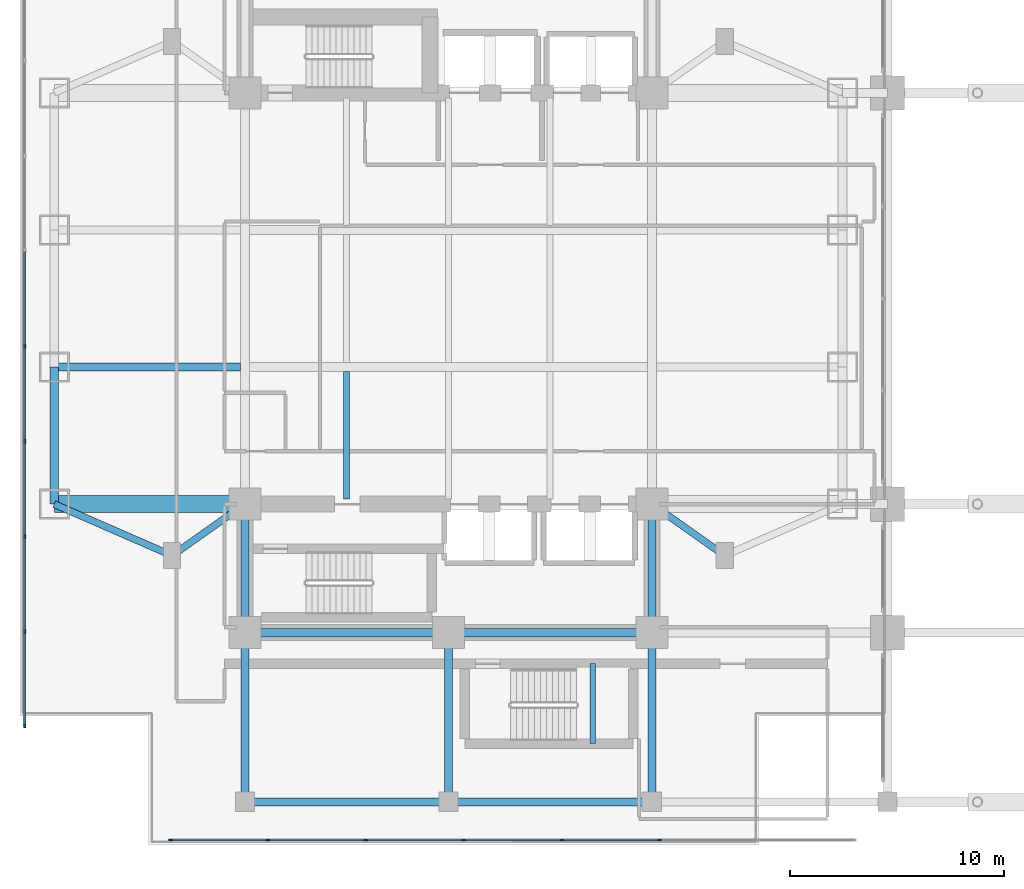
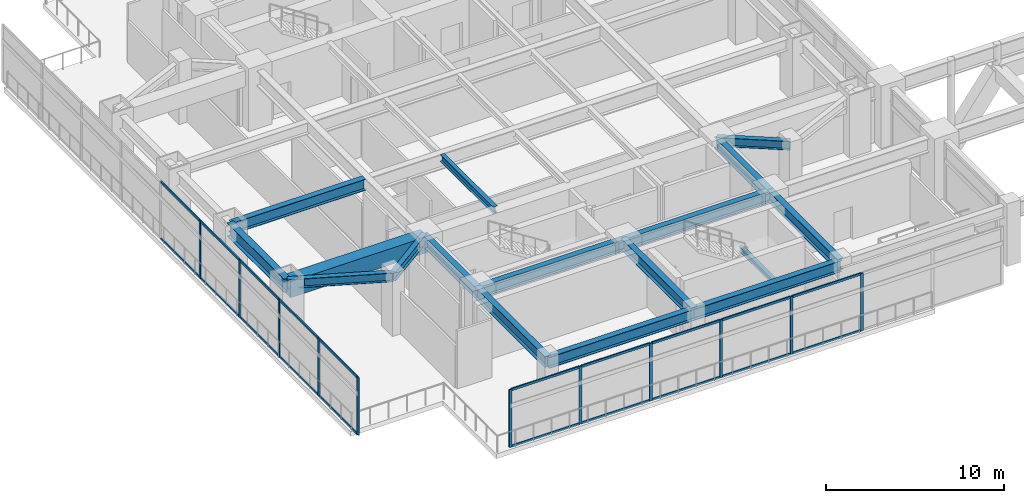
# One storey, part 2 of 30: 31 members, 17 beams, 2 elements without a shape of their own.
"""IFC4 building model written with IfcOpenShell, lengths in metres."""

from ifc_helpers import new_model, si_unit, direction, frame, origin, origin_2d, place, context, subcontext, project, spatial, rectangle, i_section, extrude, material, material_profile, profile_set, type_object, element, aggregate, save


model = new_model("IFC4")

# Units and contexts
model_context = context("Model", 3, precision=1e-05, world=origin(), true_north=direction((0.0, 1.0)))
body_context = subcontext(model_context, "Body", "Model", "MODEL_VIEW")
ifc_project = project(units=[si_unit("LENGTHUNIT", "METRE"), si_unit("AREAUNIT", "SQUARE_METRE"), si_unit("VOLUMEUNIT", "CUBIC_METRE"), si_unit("PLANEANGLEUNIT", "RADIAN"), si_unit("MASSUNIT", "GRAM", prefix="KILO")], contexts=[model_context])

# Site, building, storey
site_placement = place(None, origin())
site = spatial("IfcSite", under=ifc_project, at=site_placement, CompositionType="ELEMENT")
building_placement = place(site_placement, origin())
building = spatial("IfcBuilding", under=site, at=building_placement, Name="Mirazonda Arch Towers", CompositionType="ELEMENT")
storey_placement = place(building_placement, frame((0.0, 0.0, 9.5)))
storey = spatial("IfcBuildingStorey", under=building, at=storey_placement, Name="L02", CompositionType="ELEMENT", Elevation=9.5)

# Beams
ifc_material_1 = material(Name="Steel ASTM A992 Grade 50", Category="steel")
ifc_material_profile_1 = material_profile(ifc_material_1, i_section(OverallWidth=0.381103515625, OverallDepth=0.77294921875, WebThickness=0.0166015625, FlangeThickness=0.027099609375, at=origin_2d()), Name="W30X173")
ifc_profile_set_1 = profile_set([ifc_material_profile_1], Name="Steel ASTM A992 Grade 50")
beam_type_1 = type_object("IfcBeamType", Name="BM-EXT-W30X173", PredefinedType="USERDEFINED", material=ifc_profile_set_1)
for number, where, z_axis, x_axis, name in (
    (1, (11.0, 4.5, 3.593505859375), (1.0, 0.0, 0.0), (0.0, 1.0, 0.0), "L02 Floor Beam BM-POD-L02-PS-1"),
    (2, (20.5, 4.5, 3.593505859375), (1.0, 0.0, 0.0), (0.0, 1.0, 0.0), "L02 Floor Beam BM-POD-L02-PS-2"),
):
    element("IfcBeam", number, at=place(storey_placement, frame(where, z_axis=z_axis, x_axis=x_axis)), inside=storey, type_object=beam_type_1, Name=name, ObjectType="GIRDER", PredefinedType="USERDEFINED", context=body_context, shape_type="SweptSolid", body=[
        extrude(i_section(OverallWidth=0.381103515625, OverallDepth=0.77294921875, WebThickness=0.0166015625, FlangeThickness=0.027099609375, at=origin_2d()), origin(), (0.0, 0.0, 1.0), 9.5),
    ])
ifc_material_profile_2 = material_profile(ifc_material_1, i_section(OverallWidth=0.41796875, OverallDepth=0.927001953125, WebThickness=0.019287109375, FlangeThickness=0.031982421875, at=origin_2d()), Name="W36X231")
ifc_profile_set_2 = profile_set([ifc_material_profile_2], Name="Steel ASTM A992 Grade 50")
beam_type_2 = type_object("IfcBeamType", Name="BM-EXT-W36X231", PredefinedType="USERDEFINED", material=ifc_profile_set_2)
beam_1_placement = place(storey_placement, frame((2.10009765625, 18.39990234375, 3.5166015625), z_axis=(0.0, 1.0, 0.0), x_axis=(-1.0, 0.0, 0.0)))
element("IfcBeam", 3, at=beam_1_placement, inside=storey, type_object=beam_type_2, Name="L02 Floor Beam BM-T1-L02-NS-W-18", ObjectType="GIRDER", PredefinedType="USERDEFINED", context=body_context, shape_type="SweptSolid", body=[
    extrude(i_section(OverallWidth=0.41796875, OverallDepth=0.927001953125, WebThickness=0.019287109375, FlangeThickness=0.031982421875, at=origin_2d()), origin(), (0.0, 0.0, 1.0), 6.400146484375),
])
ifc_material_profile_3 = material_profile(ifc_material_1, i_section(OverallWidth=0.257080078125, OverallDepth=0.330078125, WebThickness=0.011962890625, FlangeThickness=0.01953125, at=origin_2d()), Name="W10X68")
ifc_profile_set_3 = profile_set([ifc_material_profile_3], Name="Steel ASTM A992 Grade 50")
beam_type_3 = type_object("IfcBeamType", Name="BM-INT-W10X68", PredefinedType="BEAM", material=ifc_profile_set_3)
beam_2_placement = place(storey_placement, frame((27.25, 7.219970703125, 1.784912109375), z_axis=(0.0, 1.0, 0.0), x_axis=(-1.0, 0.0, 0.0)))
element("IfcBeam", 4, at=beam_2_placement, inside=storey, type_object=beam_type_3, Name="L02 ST-POD1 Landing Trimmer Beam", PredefinedType="BEAM", context=body_context, shape_type="SweptSolid", body=[
    extrude(i_section(OverallWidth=0.257080078125, OverallDepth=0.330078125, WebThickness=0.011962890625, FlangeThickness=0.01953125, at=origin_2d()), origin(), (0.0, 0.0, 1.0), 3.72998046875),
])
ifc_material_profile_4 = material_profile(ifc_material_1, i_section(OverallWidth=0.280029296875, OverallDepth=0.462890625, WebThickness=0.0107421875, FlangeThickness=0.017333984375, at=origin_2d()), Name="W18X76")
ifc_profile_set_4 = profile_set([ifc_material_profile_4], Name="Steel ASTM A992 Grade 50")
beam_type_4 = type_object("IfcBeamType", Name="BM-INT-W18X76", PredefinedType="JOIST", material=ifc_profile_set_4)
beam_3_placement = place(storey_placement, frame((15.75, 18.639892578125, 3.74853515625), z_axis=(0.0, 1.0, 0.0), x_axis=(-1.0, 0.0, 0.0)))
element("IfcBeam", 5, at=beam_3_placement, inside=storey, type_object=beam_type_4, Name="L02 Floor Beam BM-T1-L02-J-157-18", PredefinedType="JOIST", context=body_context, shape_type="SweptSolid", body=[
    extrude(i_section(OverallWidth=0.280029296875, OverallDepth=0.462890625, WebThickness=0.0107421875, FlangeThickness=0.017333984375, at=origin_2d()), origin(), (0.0, 0.0, 1.0), 5.9541015625),
])
ifc_material_profile_5 = material_profile(ifc_material_1, i_section(OverallWidth=0.324951171875, OverallDepth=0.615966796875, WebThickness=0.013916015625, FlangeThickness=0.021484375, at=origin_2d()), Name="W24X117")
ifc_profile_set_5 = profile_set([ifc_material_profile_5], Name="Steel ASTM A992 Grade 50")
beam_type_5 = type_object("IfcBeamType", Name="BM-INT-W24X117", PredefinedType="BEAM", material=ifc_profile_set_5)
beam_4_placement = place(storey_placement, frame((7.60009765625, 16.0, 3.672119140625), z_axis=(0.816971114901, 0.576678591087, 0.0), x_axis=(-0.576678591087, 0.816971114901, 0.0)))
element("IfcBeam", 6, at=beam_4_placement, inside=storey, type_object=beam_type_5, Name="L02 Floor Beam BM-T1-L02-PL-SW1", PredefinedType="BEAM", context=body_context, shape_type="SweptSolid", body=[
    extrude(i_section(OverallWidth=0.324951171875, OverallDepth=0.615966796875, WebThickness=0.013916015625, FlangeThickness=0.021484375, at=origin_2d()), origin(), (0.0, 0.0, 1.0), 4.16162109375),
])
beam_5_placement = place(storey_placement, frame((7.60009765625, 16.0, 3.672119140625), z_axis=(-0.916545343703, 0.399930785183, 0.0), x_axis=(-0.399930785183, -0.916545343703, 0.0)))
element("IfcBeam", 7, at=beam_5_placement, inside=storey, type_object=beam_type_5, Name="L02 Floor Beam BM-T1-L02-PL-SW2", PredefinedType="BEAM", context=body_context, shape_type="SweptSolid", body=[
    extrude(i_section(OverallWidth=0.324951171875, OverallDepth=0.615966796875, WebThickness=0.013916015625, FlangeThickness=0.021484375, at=origin_2d()), origin(), (0.0, 0.0, 1.0), 6.000732421875),
])
beam_6_placement = place(storey_placement, frame((33.39990234375, 16.0, 3.672119140625), z_axis=(-0.816971114901, 0.576678591087, 0.0), x_axis=(-0.576678591087, -0.816971114901, 0.0)))
element("IfcBeam", 8, at=beam_6_placement, inside=storey, type_object=beam_type_5, Name="L02 Floor Beam BM-T1-L02-PL-SE1", PredefinedType="BEAM", context=body_context, shape_type="SweptSolid", body=[
    extrude(i_section(OverallWidth=0.324951171875, OverallDepth=0.615966796875, WebThickness=0.013916015625, FlangeThickness=0.021484375, at=origin_2d()), origin(), (0.0, 0.0, 1.0), 4.16162109375),
])
ifc_material_profile_6 = material_profile(ifc_material_1, i_section(OverallWidth=0.381103515625, OverallDepth=0.77294921875, WebThickness=0.0166015625, FlangeThickness=0.027099609375, at=origin_2d()), Name="W30X173")
ifc_profile_set_6 = profile_set([ifc_material_profile_6], Name="Steel ASTM A992 Grade 50")
beam_type_6 = type_object("IfcBeamType", Name="BM-INT-W30X173", PredefinedType="USERDEFINED", material=ifc_profile_set_6)
beam_7_placement = place(storey_placement, frame((2.10009765625, 24.800048828125, 3.593505859375), z_axis=(1.0, 0.0, 0.0), x_axis=(0.0, 1.0, 0.0)))
element("IfcBeam", 9, at=beam_7_placement, inside=storey, type_object=beam_type_6, Name="L02 Floor Beam BM-T1-L02-GW2", ObjectType="GIRDER", PredefinedType="USERDEFINED", context=body_context, shape_type="SweptSolid", body=[
    extrude(i_section(OverallWidth=0.381103515625, OverallDepth=0.77294921875, WebThickness=0.0166015625, FlangeThickness=0.027099609375, at=origin_2d()), origin(), (0.0, 0.0, 1.0), 8.68994140625),
])
for number, where, z_axis, x_axis, name in (
    (10, (11.0, 12.39990234375, 3.593505859375), (1.0, 0.0, 0.0), (0.0, 1.0, 0.0), "L02 Floor Beam BM-T1-L02-CS1"),
    (11, (20.5, 12.39990234375, 3.593505859375), (1.0, 0.0, 0.0), (0.0, 1.0, 0.0), "L02 Floor Beam BM-T1-L02-CS2"),
):
    element("IfcBeam", number, at=place(storey_placement, frame(where, z_axis=z_axis, x_axis=x_axis)), inside=storey, type_object=beam_type_6, Name=name, ObjectType="GIRDER", PredefinedType="USERDEFINED", context=body_context, shape_type="SweptSolid", body=[
        extrude(i_section(OverallWidth=0.381103515625, OverallDepth=0.77294921875, WebThickness=0.0166015625, FlangeThickness=0.027099609375, at=origin_2d()), origin(), (0.0, 0.0, 1.0), 9.5),
    ])
for number, where, z_axis, x_axis, name in (
    (12, (11.0, 12.39990234375, 3.593505859375), (0.0, 1.0, 0.0), (-1.0, 0.0, 0.0), "L02 Floor Beam BM-T1-L02-CSW"),
    (13, (30.0, 12.39990234375, 3.593505859375), (0.0, 1.0, 0.0), (-1.0, 0.0, 0.0), "L02 Floor Beam BM-T1-L02-CSE"),
):
    element("IfcBeam", number, at=place(storey_placement, frame(where, z_axis=z_axis, x_axis=x_axis)), inside=storey, type_object=beam_type_6, Name=name, ObjectType="GIRDER", PredefinedType="USERDEFINED", context=body_context, shape_type="SweptSolid", body=[
        extrude(i_section(OverallWidth=0.381103515625, OverallDepth=0.77294921875, WebThickness=0.0166015625, FlangeThickness=0.027099609375, at=origin_2d()), origin(), (0.0, 0.0, 1.0), 6.0),
    ])
for number, where, z_axis, x_axis, name in (
    (14, (11.0, 4.5, 3.593505859375), (0.0, 1.0, 0.0), (-1.0, 0.0, 0.0), "L02 Floor Beam BM-POD-L02-PCS-1"),
    (15, (20.5, 4.5, 3.593505859375), (0.0, 1.0, 0.0), (-1.0, 0.0, 0.0), "L02 Floor Beam BM-POD-L02-PCS-2"),
    (16, (30.0, 4.5, 3.593505859375), (0.0, 1.0, 0.0), (-1.0, 0.0, 0.0), "L02 Floor Beam BM-POD-L02-PCS-3"),
):
    element("IfcBeam", number, at=place(storey_placement, frame(where, z_axis=z_axis, x_axis=x_axis)), inside=storey, type_object=beam_type_6, Name=name, ObjectType="GIRDER", PredefinedType="USERDEFINED", context=body_context, shape_type="SweptSolid", body=[
        extrude(i_section(OverallWidth=0.381103515625, OverallDepth=0.77294921875, WebThickness=0.0166015625, FlangeThickness=0.027099609375, at=origin_2d()), origin(), (0.0, 0.0, 1.0), 7.89990234375),
    ])
ifc_material_2 = material(Name="Concrete C60/75", Category="concrete")
ifc_material_profile_7 = material_profile(ifc_material_2, rectangle(XDim=0.800048828125, YDim=1.10009765625, at=origin_2d()), Name="RCCB800x1100")
ifc_profile_set_7 = profile_set([ifc_material_profile_7], Name="Concrete C60/75")
beam_type_7 = type_object("IfcBeamType", Name="CB-INT-RCCB800x1100", PredefinedType="SPANDREL", material=ifc_profile_set_7)
beam_8_placement = place(storey_placement, frame((2.10009765625, 18.39990234375, 3.429931640625), z_axis=(1.0, 0.0, 0.0), x_axis=(0.0, 1.0, 0.0)))
element("IfcBeam", 17, at=beam_8_placement, inside=storey, type_object=beam_type_7, Name="L02 Floor Beam CB-T1-L02-SW", PredefinedType="SPANDREL", context=body_context, shape_type="SweptSolid", body=[
    extrude(rectangle(XDim=0.800048828125, YDim=1.10009765625, at=origin_2d()), origin(), (0.0, 0.0, 1.0), 8.89990234375),
])

# Curtain wall, members
ifc_material_3 = material(Name="Anodised Aluminium and Low-E Glass", Category="aluminium")
curtain_wall_type = type_object("IfcCurtainWallType", Name="CW-POD-STORE", PredefinedType="NOTDEFINED", material=ifc_material_3)
curtain_wall_1_placement = place(storey_placement, origin())
curtain_wall_1 = element("IfcCurtainWall", 18, at=curtain_wall_1_placement, inside=storey, type_object=curtain_wall_type, Name="L02 Curtain Wall CW-L02-WS", PredefinedType="NOTDEFINED")
ifc_material_4 = material(Name="Anodised Aluminium Alloy", Category="aluminium")
ifc_material_profile_8 = material_profile(ifc_material_4, rectangle(XDim=0.080078125, YDim=0.179931640625, at=origin_2d()), Name="ALU-MULL-80x180")
ifc_profile_set_8 = profile_set([ifc_material_profile_8], Name="Anodised Aluminium Alloy")
member_type_1 = type_object("IfcMemberType", Name="MULL-CW-POD-STORE", PredefinedType="MULLION", material=ifc_profile_set_8)
member_1_placement = place(storey_placement, frame((30.357177734375, 2.719970703125, 0.0), z_axis=(0.0, 0.0, 1.0), x_axis=(0.0, -1.0, 0.0)))
member_1 = element("IfcMember", 19, at=member_1_placement, type_object=member_type_1, Name="CW-102 mullion 3", PredefinedType="MULLION", context=body_context, shape_type="SweptSolid", body=[
    extrude(rectangle(XDim=0.080078125, YDim=0.179931640625, at=origin_2d()), origin(), (0.0, 0.0, 1.0), 3.9599609375),
])
member_2_placement = place(storey_placement, frame((25.78564453125, 2.719970703125, 0.0), z_axis=(0.0, 0.0, 1.0), x_axis=(0.0, -1.0, 0.0)))
member_2 = element("IfcMember", 20, at=member_2_placement, type_object=member_type_1, Name="CW-102 mullion 4", PredefinedType="MULLION", context=body_context, shape_type="SweptSolid", body=[
    extrude(rectangle(XDim=0.080078125, YDim=0.179931640625, at=origin_2d()), origin(), (0.0, 0.0, 1.0), 3.9599609375),
])
member_3_placement = place(storey_placement, frame((21.21435546875, 2.719970703125, 0.0), z_axis=(0.0, 0.0, 1.0), x_axis=(0.0, -1.0, 0.0)))
member_3 = element("IfcMember", 21, at=member_3_placement, type_object=member_type_1, Name="CW-102 mullion 5", PredefinedType="MULLION", context=body_context, shape_type="SweptSolid", body=[
    extrude(rectangle(XDim=0.080078125, YDim=0.179931640625, at=origin_2d()), origin(), (0.0, 0.0, 1.0), 3.9599609375),
])
member_4_placement = place(storey_placement, frame((16.642822265625, 2.719970703125, 0.0), z_axis=(0.0, 0.0, 1.0), x_axis=(0.0, -1.0, 0.0)))
member_4 = element("IfcMember", 22, at=member_4_placement, type_object=member_type_1, Name="CW-102 mullion 6", PredefinedType="MULLION", context=body_context, shape_type="SweptSolid", body=[
    extrude(rectangle(XDim=0.080078125, YDim=0.179931640625, at=origin_2d()), origin(), (0.0, 0.0, 1.0), 3.9599609375),
])
member_5_placement = place(storey_placement, frame((12.071533203125, 2.719970703125, 0.0), z_axis=(0.0, 0.0, 1.0), x_axis=(0.0, -1.0, 0.0)))
member_5 = element("IfcMember", 23, at=member_5_placement, type_object=member_type_1, Name="CW-102 mullion 7", PredefinedType="MULLION", context=body_context, shape_type="SweptSolid", body=[
    extrude(rectangle(XDim=0.080078125, YDim=0.179931640625, at=origin_2d()), origin(), (0.0, 0.0, 1.0), 3.9599609375),
])
member_6_placement = place(storey_placement, frame((7.5400390625, 2.719970703125, 0.0), z_axis=(0.0, 0.0, 1.0), x_axis=(0.0, -1.0, 0.0)))
member_6 = element("IfcMember", 24, at=member_6_placement, type_object=member_type_1, Name="CW-102 mullion 8", PredefinedType="MULLION", context=body_context, shape_type="SweptSolid", body=[
    extrude(rectangle(XDim=0.080078125, YDim=0.179931640625, at=origin_2d()), origin(), (0.0, 0.0, 1.0), 3.9599609375),
])

curtain_wall_2_placement = place(storey_placement, origin())
curtain_wall_2 = element("IfcCurtainWall", 25, at=curtain_wall_2_placement, inside=storey, type_object=curtain_wall_type, Name="L02 Curtain Wall CW-L02-WW", PredefinedType="NOTDEFINED")
member_7_placement = place(storey_placement, frame((0.719970703125, 25.77783203125, 0.0), z_axis=(0.0, 0.0, 1.0), x_axis=(1.0, 0.0, 0.0)))
member_7 = element("IfcMember", 26, at=member_7_placement, type_object=member_type_1, Name="CW-102 mullion 6", PredefinedType="MULLION", context=body_context, shape_type="SweptSolid", body=[
    extrude(rectangle(XDim=0.080078125, YDim=0.179931640625, at=origin_2d()), origin(), (0.0, 0.0, 1.0), 3.9599609375),
])
member_8_placement = place(storey_placement, frame((0.719970703125, 21.333251953125, 0.0), z_axis=(0.0, 0.0, 1.0), x_axis=(1.0, 0.0, 0.0)))
member_8 = element("IfcMember", 27, at=member_8_placement, type_object=member_type_1, Name="CW-102 mullion 7", PredefinedType="MULLION", context=body_context, shape_type="SweptSolid", body=[
    extrude(rectangle(XDim=0.080078125, YDim=0.179931640625, at=origin_2d()), origin(), (0.0, 0.0, 1.0), 3.9599609375),
])
member_9_placement = place(storey_placement, frame((0.719970703125, 16.888916015625, 0.0), z_axis=(0.0, 0.0, 1.0), x_axis=(1.0, 0.0, 0.0)))
member_9 = element("IfcMember", 28, at=member_9_placement, type_object=member_type_1, Name="CW-102 mullion 8", PredefinedType="MULLION", context=body_context, shape_type="SweptSolid", body=[
    extrude(rectangle(XDim=0.080078125, YDim=0.179931640625, at=origin_2d()), origin(), (0.0, 0.0, 1.0), 3.9599609375),
])
member_10_placement = place(storey_placement, frame((0.719970703125, 12.4443359375, 0.0), z_axis=(0.0, 0.0, 1.0), x_axis=(1.0, 0.0, 0.0)))
member_10 = element("IfcMember", 29, at=member_10_placement, type_object=member_type_1, Name="CW-102 mullion 9", PredefinedType="MULLION", context=body_context, shape_type="SweptSolid", body=[
    extrude(rectangle(XDim=0.080078125, YDim=0.179931640625, at=origin_2d()), origin(), (0.0, 0.0, 1.0), 3.9599609375),
])
member_11_placement = place(storey_placement, frame((0.719970703125, 8.0400390625, 0.0), z_axis=(0.0, 0.0, 1.0), x_axis=(1.0, 0.0, 0.0)))
member_11 = element("IfcMember", 30, at=member_11_placement, type_object=member_type_1, Name="CW-102 mullion 10", PredefinedType="MULLION", context=body_context, shape_type="SweptSolid", body=[
    extrude(rectangle(XDim=0.080078125, YDim=0.179931640625, at=origin_2d()), origin(), (0.0, 0.0, 1.0), 3.9599609375),
])

# Member
ifc_material_profile_9 = material_profile(ifc_material_4, rectangle(XDim=0.080078125, YDim=0.159912109375, at=origin_2d()), Name="ALU-TRAN-80x160")
ifc_profile_set_9 = profile_set([ifc_material_profile_9], Name="Anodised Aluminium Alloy")
member_type_2 = type_object("IfcMemberType", Name="TRAN-CW-POD-STORE", PredefinedType="USERDEFINED", material=ifc_profile_set_9)
member_12_placement = place(storey_placement, frame((30.317138671875, 2.719970703125, 0.0400390625), z_axis=(-1.0, 0.0, 0.0), x_axis=(0.0, -1.0, 0.0)))
member_12 = element("IfcMember", 31, at=member_12_placement, type_object=member_type_2, Name="CW-102 transom 3.1", ObjectType="TRANSOM", PredefinedType="USERDEFINED", context=body_context, shape_type="SweptSolid", body=[
    extrude(rectangle(XDim=0.080078125, YDim=0.159912109375, at=origin_2d()), origin(), (0.0, 0.0, 1.0), 4.491455078125),
])

member_13_placement = place(storey_placement, frame((30.317138671875, 2.719970703125, 3.919921875), z_axis=(-1.0, 0.0, 0.0), x_axis=(0.0, -1.0, 0.0)))
member_13 = element("IfcMember", 32, at=member_13_placement, type_object=member_type_2, Name="CW-102 transom 3.2", ObjectType="TRANSOM", PredefinedType="USERDEFINED", context=body_context, shape_type="SweptSolid", body=[
    extrude(rectangle(XDim=0.080078125, YDim=0.159912109375, at=origin_2d()), origin(), (0.0, 0.0, 1.0), 4.491455078125),
])

member_14_placement = place(storey_placement, frame((25.74560546875, 2.719970703125, 0.0400390625), z_axis=(-1.0, 0.0, 0.0), x_axis=(0.0, -1.0, 0.0)))
member_14 = element("IfcMember", 33, at=member_14_placement, type_object=member_type_2, Name="CW-102 transom 4.1", ObjectType="TRANSOM", PredefinedType="USERDEFINED", context=body_context, shape_type="SweptSolid", body=[
    extrude(rectangle(XDim=0.080078125, YDim=0.159912109375, at=origin_2d()), origin(), (0.0, 0.0, 1.0), 4.4912109375),
])

member_15_placement = place(storey_placement, frame((25.74560546875, 2.719970703125, 3.919921875), z_axis=(-1.0, 0.0, 0.0), x_axis=(0.0, -1.0, 0.0)))
member_15 = element("IfcMember", 34, at=member_15_placement, type_object=member_type_2, Name="CW-102 transom 4.2", ObjectType="TRANSOM", PredefinedType="USERDEFINED", context=body_context, shape_type="SweptSolid", body=[
    extrude(rectangle(XDim=0.080078125, YDim=0.159912109375, at=origin_2d()), origin(), (0.0, 0.0, 1.0), 4.4912109375),
])

member_16_placement = place(storey_placement, frame((21.17431640625, 2.719970703125, 0.0400390625), z_axis=(-1.0, 0.0, 0.0), x_axis=(0.0, -1.0, 0.0)))
member_16 = element("IfcMember", 35, at=member_16_placement, type_object=member_type_2, Name="CW-102 transom 5.1", ObjectType="TRANSOM", PredefinedType="USERDEFINED", context=body_context, shape_type="SweptSolid", body=[
    extrude(rectangle(XDim=0.080078125, YDim=0.159912109375, at=origin_2d()), origin(), (0.0, 0.0, 1.0), 4.491455078125),
])

member_17_placement = place(storey_placement, frame((21.17431640625, 2.719970703125, 3.919921875), z_axis=(-1.0, 0.0, 0.0), x_axis=(0.0, -1.0, 0.0)))
member_17 = element("IfcMember", 36, at=member_17_placement, type_object=member_type_2, Name="CW-102 transom 5.2", ObjectType="TRANSOM", PredefinedType="USERDEFINED", context=body_context, shape_type="SweptSolid", body=[
    extrude(rectangle(XDim=0.080078125, YDim=0.159912109375, at=origin_2d()), origin(), (0.0, 0.0, 1.0), 4.491455078125),
])

member_18_placement = place(storey_placement, frame((16.602783203125, 2.719970703125, 0.0400390625), z_axis=(-1.0, 0.0, 0.0), x_axis=(0.0, -1.0, 0.0)))
member_18 = element("IfcMember", 37, at=member_18_placement, type_object=member_type_2, Name="CW-102 transom 6.1", ObjectType="TRANSOM", PredefinedType="USERDEFINED", context=body_context, shape_type="SweptSolid", body=[
    extrude(rectangle(XDim=0.080078125, YDim=0.159912109375, at=origin_2d()), origin(), (0.0, 0.0, 1.0), 4.491455078125),
])

member_19_placement = place(storey_placement, frame((16.602783203125, 2.719970703125, 3.919921875), z_axis=(-1.0, 0.0, 0.0), x_axis=(0.0, -1.0, 0.0)))
member_19 = element("IfcMember", 38, at=member_19_placement, type_object=member_type_2, Name="CW-102 transom 6.2", ObjectType="TRANSOM", PredefinedType="USERDEFINED", context=body_context, shape_type="SweptSolid", body=[
    extrude(rectangle(XDim=0.080078125, YDim=0.159912109375, at=origin_2d()), origin(), (0.0, 0.0, 1.0), 4.491455078125),
])

member_20_placement = place(storey_placement, frame((12.031494140625, 2.719970703125, 0.0400390625), z_axis=(-1.0, 0.0, 0.0), x_axis=(0.0, -1.0, 0.0)))
member_20 = element("IfcMember", 39, at=member_20_placement, type_object=member_type_2, Name="CW-102 transom 7.1", ObjectType="TRANSOM", PredefinedType="USERDEFINED", context=body_context, shape_type="SweptSolid", body=[
    extrude(rectangle(XDim=0.080078125, YDim=0.159912109375, at=origin_2d()), origin(), (0.0, 0.0, 1.0), 4.451416015625),
])

member_21_placement = place(storey_placement, frame((12.031494140625, 2.719970703125, 3.919921875), z_axis=(-1.0, 0.0, 0.0), x_axis=(0.0, -1.0, 0.0)))
member_21 = element("IfcMember", 40, at=member_21_placement, type_object=member_type_2, Name="CW-102 transom 7.2", ObjectType="TRANSOM", PredefinedType="USERDEFINED", context=body_context, shape_type="SweptSolid", body=[
    extrude(rectangle(XDim=0.080078125, YDim=0.159912109375, at=origin_2d()), origin(), (0.0, 0.0, 1.0), 4.451416015625),
])

aggregate(curtain_wall_1, [member_1, member_2, member_3, member_4, member_5, member_6, member_12, member_13, member_14, member_15, member_16, member_17, member_18, member_19, member_20, member_21])

member_22_placement = place(storey_placement, frame((0.719970703125, 30.18212890625, 0.0400390625), z_axis=(0.0, -1.0, 0.0), x_axis=(1.0, 0.0, 0.0)))
member_22 = element("IfcMember", 41, at=member_22_placement, type_object=member_type_2, Name="CW-102 transom 5.1", ObjectType="TRANSOM", PredefinedType="USERDEFINED", context=body_context, shape_type="SweptSolid", body=[
    extrude(rectangle(XDim=0.080078125, YDim=0.159912109375, at=origin_2d()), origin(), (0.0, 0.0, 1.0), 4.3642578125),
])

member_23_placement = place(storey_placement, frame((0.719970703125, 30.18212890625, 3.919921875), z_axis=(0.0, -1.0, 0.0), x_axis=(1.0, 0.0, 0.0)))
member_23 = element("IfcMember", 42, at=member_23_placement, type_object=member_type_2, Name="CW-102 transom 5.2", ObjectType="TRANSOM", PredefinedType="USERDEFINED", context=body_context, shape_type="SweptSolid", body=[
    extrude(rectangle(XDim=0.080078125, YDim=0.159912109375, at=origin_2d()), origin(), (0.0, 0.0, 1.0), 4.3642578125),
])

member_24_placement = place(storey_placement, frame((0.719970703125, 25.73779296875, 0.0400390625), z_axis=(0.0, -1.0, 0.0), x_axis=(1.0, 0.0, 0.0)))
member_24 = element("IfcMember", 43, at=member_24_placement, type_object=member_type_2, Name="CW-102 transom 6.1", ObjectType="TRANSOM", PredefinedType="USERDEFINED", context=body_context, shape_type="SweptSolid", body=[
    extrude(rectangle(XDim=0.080078125, YDim=0.159912109375, at=origin_2d()), origin(), (0.0, 0.0, 1.0), 4.364501953125),
])

member_25_placement = place(storey_placement, frame((0.719970703125, 25.73779296875, 3.919921875), z_axis=(0.0, -1.0, 0.0), x_axis=(1.0, 0.0, 0.0)))
member_25 = element("IfcMember", 44, at=member_25_placement, type_object=member_type_2, Name="CW-102 transom 6.2", ObjectType="TRANSOM", PredefinedType="USERDEFINED", context=body_context, shape_type="SweptSolid", body=[
    extrude(rectangle(XDim=0.080078125, YDim=0.159912109375, at=origin_2d()), origin(), (0.0, 0.0, 1.0), 4.364501953125),
])

member_26_placement = place(storey_placement, frame((0.719970703125, 21.293212890625, 0.0400390625), z_axis=(0.0, -1.0, 0.0), x_axis=(1.0, 0.0, 0.0)))
member_26 = element("IfcMember", 45, at=member_26_placement, type_object=member_type_2, Name="CW-102 transom 7.1", ObjectType="TRANSOM", PredefinedType="USERDEFINED", context=body_context, shape_type="SweptSolid", body=[
    extrude(rectangle(XDim=0.080078125, YDim=0.159912109375, at=origin_2d()), origin(), (0.0, 0.0, 1.0), 4.3642578125),
])

member_27_placement = place(storey_placement, frame((0.719970703125, 21.293212890625, 3.919921875), z_axis=(0.0, -1.0, 0.0), x_axis=(1.0, 0.0, 0.0)))
member_27 = element("IfcMember", 46, at=member_27_placement, type_object=member_type_2, Name="CW-102 transom 7.2", ObjectType="TRANSOM", PredefinedType="USERDEFINED", context=body_context, shape_type="SweptSolid", body=[
    extrude(rectangle(XDim=0.080078125, YDim=0.159912109375, at=origin_2d()), origin(), (0.0, 0.0, 1.0), 4.3642578125),
])

member_28_placement = place(storey_placement, frame((0.719970703125, 16.848876953125, 0.0400390625), z_axis=(0.0, -1.0, 0.0), x_axis=(1.0, 0.0, 0.0)))
member_28 = element("IfcMember", 47, at=member_28_placement, type_object=member_type_2, Name="CW-102 transom 8.1", ObjectType="TRANSOM", PredefinedType="USERDEFINED", context=body_context, shape_type="SweptSolid", body=[
    extrude(rectangle(XDim=0.080078125, YDim=0.159912109375, at=origin_2d()), origin(), (0.0, 0.0, 1.0), 4.364501953125),
])

member_29_placement = place(storey_placement, frame((0.719970703125, 16.848876953125, 3.919921875), z_axis=(0.0, -1.0, 0.0), x_axis=(1.0, 0.0, 0.0)))
member_29 = element("IfcMember", 48, at=member_29_placement, type_object=member_type_2, Name="CW-102 transom 8.2", ObjectType="TRANSOM", PredefinedType="USERDEFINED", context=body_context, shape_type="SweptSolid", body=[
    extrude(rectangle(XDim=0.080078125, YDim=0.159912109375, at=origin_2d()), origin(), (0.0, 0.0, 1.0), 4.364501953125),
])

member_30_placement = place(storey_placement, frame((0.719970703125, 12.404541015625, 0.0400390625), z_axis=(0.0, -1.0, 0.0), x_axis=(1.0, 0.0, 0.0)))
member_30 = element("IfcMember", 49, at=member_30_placement, type_object=member_type_2, Name="CW-102 transom 9.1", ObjectType="TRANSOM", PredefinedType="USERDEFINED", context=body_context, shape_type="SweptSolid", body=[
    extrude(rectangle(XDim=0.080078125, YDim=0.159912109375, at=origin_2d()), origin(), (0.0, 0.0, 1.0), 4.324462890625),
])

member_31_placement = place(storey_placement, frame((0.719970703125, 12.404541015625, 3.919921875), z_axis=(0.0, -1.0, 0.0), x_axis=(1.0, 0.0, 0.0)))
member_31 = element("IfcMember", 50, at=member_31_placement, type_object=member_type_2, Name="CW-102 transom 9.2", ObjectType="TRANSOM", PredefinedType="USERDEFINED", context=body_context, shape_type="SweptSolid", body=[
    extrude(rectangle(XDim=0.080078125, YDim=0.159912109375, at=origin_2d()), origin(), (0.0, 0.0, 1.0), 4.324462890625),
])

aggregate(curtain_wall_2, [member_7, member_8, member_9, member_10, member_11, member_22, member_23, member_24, member_25, member_26, member_27, member_28, member_29, member_30, member_31])

save(model, "model.ifc")
